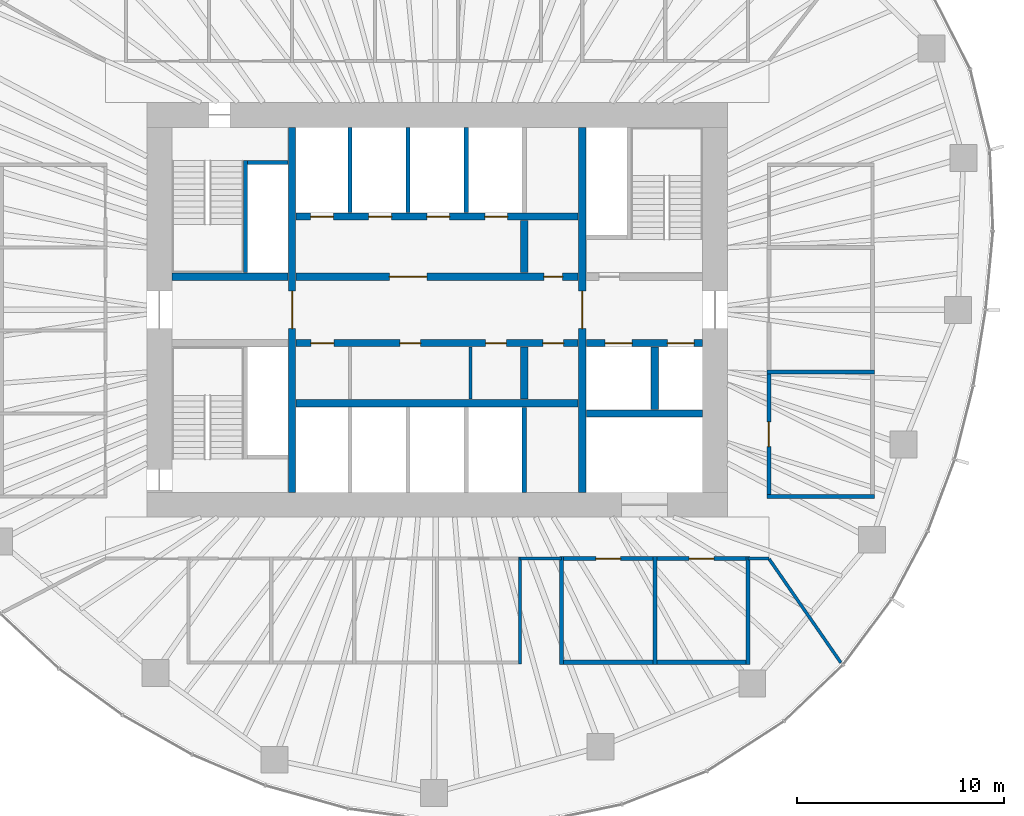
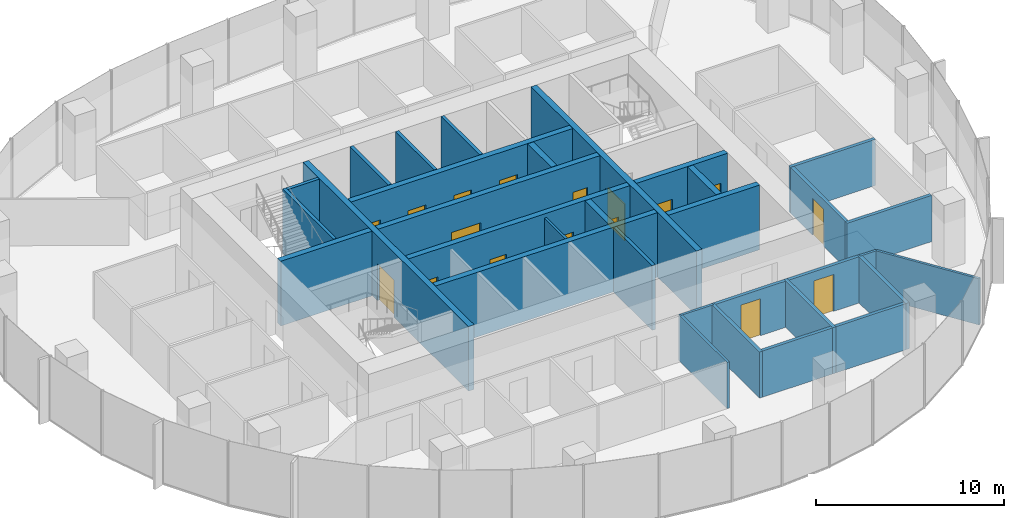
# One storey, part 9 of 12: 33 walls, 17 doors, 17 openings.
"""IFC4 building model written with IfcOpenShell, lengths in metres."""

from ifc_helpers import new_model, si_unit, direction, frame, frame_2d, origin, place, context, subcontext, project, spatial, rectangle, extrude, material, layer, layer_set, type_object, element, fill, save


model = new_model("IFC4")

# Units and contexts
model_context = context("Model", 3, precision=1e-05, world=origin(), true_north=direction((0.0, 1.0)))
body_context = subcontext(model_context, "Body", "Model", "MODEL_VIEW")
ifc_project = project(units=[si_unit("LENGTHUNIT", "METRE"), si_unit("AREAUNIT", "SQUARE_METRE"), si_unit("VOLUMEUNIT", "CUBIC_METRE"), si_unit("PLANEANGLEUNIT", "RADIAN"), si_unit("MASSUNIT", "GRAM", prefix="KILO")], contexts=[model_context])

# Site, building, storey
site_placement = place(None, origin())
site = spatial("IfcSite", under=ifc_project, at=site_placement, CompositionType="ELEMENT")
building_placement = place(site_placement, origin())
building = spatial("IfcBuilding", under=site, at=building_placement, Name="Ghaith Harvest Tower", CompositionType="ELEMENT")
storey_placement = place(building_placement, frame((0.0, 0.0, 207.39990234375)))
storey = spatial("IfcBuildingStorey", under=building, at=storey_placement, Name="L45", CompositionType="ELEMENT", Elevation=207.39990234375)

# Walls
ifc_material_1 = material(Name="Twin-stud gypsum board, acoustic", Category="gypsum")
ifc_layer_1 = layer(ifc_material_1, 0.199951171875)
ifc_layer_set_1 = layer_set([ifc_layer_1], Name="ACOUSTIC PARTITION 200")
wall_type_1 = type_object("IfcWallType", Name="ACOUSTIC PARTITION 200", PredefinedType="PARTITIONING", material=ifc_layer_set_1)
for number, where, z_axis, x_axis, name in (
    (1, (15.89990234375, -9.0, 0.0), (0.0, 0.0, 1.0), (1.0, 0.0, 0.0), "Partition L45 row E3 cross wall 1"),
    (2, (15.89990234375, -3.0, 0.0), (0.0, 0.0, 1.0), (1.0, 0.0, 0.0), "Partition L45 row E3 cross wall 2"),
):
    element("IfcWall", number, at=place(storey_placement, frame(where, z_axis=z_axis, x_axis=x_axis)), inside=storey, type_object=wall_type_1, Name=name, PredefinedType="PARTITIONING", context=body_context, shape_type="SweptSolid", body=[
        extrude(rectangle(XDim=5.2001953125, YDim=0.199951171875, at=frame_2d((2.60009765625, 0.0))), origin(), (0.0, 0.0, 1.0), 3.0),
    ])

# Wall, opening, door
wall_1_placement = place(storey_placement, frame((16.0, -8.89990234375, 0.0), z_axis=(0.0, 0.0, 1.0), x_axis=(0.0, 1.0, 0.0)))
wall_1 = element("IfcWall", 3, at=wall_1_placement, inside=storey, type_object=wall_type_1, Name="Partition L45-08", PredefinedType="PARTITIONING", context=body_context, shape_type="SweptSolid", body=[
    extrude(rectangle(XDim=5.7998046875, YDim=0.199951171875, at=frame_2d((2.89990234375, 0.0))), origin(), (0.0, 0.0, 1.0), 3.0),
])
opening_1_placement = place(wall_1_placement, frame((2.300048828125, 0.0, 0.0)))
opening_1 = element("IfcOpeningElement", 4, at=opening_1_placement, cuts=wall_1, Name="Opening 45-028", PredefinedType="OPENING", context=body_context, shape_type="SweptSolid", body=[
    extrude(rectangle(XDim=1.199951171875, YDim=2.39990234375, at=frame_2d((0.60009765625, 1.199951171875))), frame((0.0, 0.10986328125, 0.0), z_axis=(0.0, -1.0, 0.0), x_axis=(1.0, 0.0, 0.0)), (0.0, 0.0, 1.0), 0.219970703125),
])
ifc_material_2 = material(Name="Timber door", Category="wood")
door_type_1 = type_object("IfcDoorType", Name="D11 GLAZED 1200x2400", OperationType="SINGLE_SWING_LEFT", PredefinedType="DOOR", material=ifc_material_2)
door_1_placement = place(opening_1_placement, origin())
door_1 = element("IfcDoor", 5, at=door_1_placement, inside=storey, type_object=door_type_1, Name="Meeting room door", OperationType="SINGLE_SWING_LEFT", OverallHeight=2.39990234375, OverallWidth=1.199951171875, PredefinedType="DOOR", context=body_context, shape_type="SweptSolid", body=[
    extrude(rectangle(XDim=1.199951171875, YDim=2.39990234375, at=frame_2d((0.60009765625, 1.199951171875))), frame((0.0, 0.02490234375, 0.0), z_axis=(0.0, -1.0, 0.0), x_axis=(1.0, 0.0, 0.0)), (0.0, 0.0, 1.0), 0.050048828125),
])
fill(opening_1, door_1)

# Walls
for number, where, z_axis, x_axis, name in (
    (6, (6.0, -11.89990234375, 0.0), (0.0, 0.0, 1.0), (0.0, -1.0, 0.0), "Partition L45 row S5 cross wall 1"),
    (7, (10.5, -11.89990234375, 0.0), (0.0, 0.0, 1.0), (0.0, -1.0, 0.0), "Partition L45 row S5 cross wall 2"),
    (8, (15.0, -11.89990234375, 0.0), (0.0, 0.0, 1.0), (0.0, -1.0, 0.0), "Partition L45 row S5 cross wall 3"),
):
    element("IfcWall", number, at=place(storey_placement, frame(where, z_axis=z_axis, x_axis=x_axis)), inside=storey, type_object=wall_type_1, Name=name, PredefinedType="PARTITIONING", context=body_context, shape_type="SweptSolid", body=[
        extrude(rectangle(XDim=5.2001953125, YDim=0.199951171875, at=frame_2d((2.60009765625, 0.0))), origin(), (0.0, 0.0, 1.0), 3.0),
    ])

# Wall, opening, door
wall_2_placement = place(storey_placement, frame((6.10009765625, -12.0, 0.0), z_axis=(0.0, 0.0, 1.0), x_axis=(1.0, 0.0, 0.0)))
wall_2 = element("IfcWall", 9, at=wall_2_placement, inside=storey, type_object=wall_type_1, Name="Partition L45-15", PredefinedType="PARTITIONING", context=body_context, shape_type="SweptSolid", body=[
    extrude(rectangle(XDim=4.2998046875, YDim=0.199951171875, at=frame_2d((2.14990234375, 0.0))), origin(), (0.0, 0.0, 1.0), 3.0),
])
opening_2_placement = place(wall_2_placement, frame((1.550048828125, 0.0, 0.0)))
opening_2 = element("IfcOpeningElement", 10, at=opening_2_placement, cuts=wall_2, Name="Opening 45-035", PredefinedType="OPENING", context=body_context, shape_type="SweptSolid", body=[
    extrude(rectangle(XDim=1.199951171875, YDim=2.39990234375, at=frame_2d((0.60009765625, 1.199951171875))), frame((0.0, 0.10986328125, 0.0), z_axis=(0.0, -1.0, 0.0), x_axis=(1.0, 0.0, 0.0)), (0.0, 0.0, 1.0), 0.219970703125),
])
door_2_placement = place(opening_2_placement, origin())
door_2 = element("IfcDoor", 11, at=door_2_placement, inside=storey, type_object=door_type_1, Name="Meeting room door", OperationType="SINGLE_SWING_LEFT", OverallHeight=2.39990234375, OverallWidth=1.199951171875, PredefinedType="DOOR", context=body_context, shape_type="SweptSolid", body=[
    extrude(rectangle(XDim=1.199951171875, YDim=2.39990234375, at=frame_2d((0.60009765625, 1.199951171875))), frame((0.0, 0.02490234375, 0.0), z_axis=(0.0, -1.0, 0.0), x_axis=(1.0, 0.0, 0.0)), (0.0, 0.0, 1.0), 0.050048828125),
])
fill(opening_2, door_2)

# Wall
wall_3_placement = place(storey_placement, frame((6.10009765625, -17.0, 0.0), z_axis=(0.0, 0.0, 1.0), x_axis=(1.0, 0.0, 0.0)))
element("IfcWall", 12, at=wall_3_placement, inside=storey, type_object=wall_type_1, Name="Partition L45-15", PredefinedType="PARTITIONING", context=body_context, shape_type="SweptSolid", body=[
    extrude(rectangle(XDim=4.2998046875, YDim=0.199951171875, at=frame_2d((2.14990234375, 0.0))), origin(), (0.0, 0.0, 1.0), 3.0),
])

# Wall, opening, door
wall_4_placement = place(storey_placement, frame((10.60009765625, -12.0, 0.0), z_axis=(0.0, 0.0, 1.0), x_axis=(1.0, 0.0, 0.0)))
wall_4 = element("IfcWall", 13, at=wall_4_placement, inside=storey, type_object=wall_type_1, Name="Partition L45-16", PredefinedType="PARTITIONING", context=body_context, shape_type="SweptSolid", body=[
    extrude(rectangle(XDim=4.2998046875, YDim=0.199951171875, at=frame_2d((2.14990234375, 0.0))), origin(), (0.0, 0.0, 1.0), 3.0),
])
opening_3_placement = place(wall_4_placement, frame((1.550048828125, 0.0, 0.0)))
opening_3 = element("IfcOpeningElement", 14, at=opening_3_placement, cuts=wall_4, Name="Opening 45-036", PredefinedType="OPENING", context=body_context, shape_type="SweptSolid", body=[
    extrude(rectangle(XDim=1.199951171875, YDim=2.39990234375, at=frame_2d((0.60009765625, 1.199951171875))), frame((0.0, 0.10986328125, 0.0), z_axis=(0.0, -1.0, 0.0), x_axis=(1.0, 0.0, 0.0)), (0.0, 0.0, 1.0), 0.219970703125),
])
door_3_placement = place(opening_3_placement, origin())
door_3 = element("IfcDoor", 15, at=door_3_placement, inside=storey, type_object=door_type_1, Name="Meeting room door", OperationType="SINGLE_SWING_LEFT", OverallHeight=2.39990234375, OverallWidth=1.199951171875, PredefinedType="DOOR", context=body_context, shape_type="SweptSolid", body=[
    extrude(rectangle(XDim=1.199951171875, YDim=2.39990234375, at=frame_2d((0.60009765625, 1.199951171875))), frame((0.0, 0.02490234375, 0.0), z_axis=(0.0, -1.0, 0.0), x_axis=(1.0, 0.0, 0.0)), (0.0, 0.0, 1.0), 0.050048828125),
])
fill(opening_3, door_3)

# Walls
wall_5_placement = place(storey_placement, frame((10.60009765625, -17.0, 0.0), z_axis=(0.0, 0.0, 1.0), x_axis=(1.0, 0.0, 0.0)))
element("IfcWall", 16, at=wall_5_placement, inside=storey, type_object=wall_type_1, Name="Partition L45-16", PredefinedType="PARTITIONING", context=body_context, shape_type="SweptSolid", body=[
    extrude(rectangle(XDim=4.2998046875, YDim=0.199951171875, at=frame_2d((2.14990234375, 0.0))), origin(), (0.0, 0.0, 1.0), 3.0),
])
ifc_material_3 = material(Name="Concrete blockwork, fair-faced", Category="masonry")
ifc_layer_2 = layer(ifc_material_3, 0.139892578125)
ifc_layer_set_2 = layer_set([ifc_layer_2], Name="CORE PARTITION 140")
wall_type_2 = type_object("IfcWallType", Name="CORE PARTITION 140", PredefinedType="PARTITIONING", material=ifc_layer_set_2)
wall_6_placement = place(storey_placement, frame((1.60009765625, -1.800048828125, 0.0), z_axis=(0.0, 0.0, 1.0), x_axis=(0.0, -1.0, 0.0)))
element("IfcWall", 17, at=wall_6_placement, inside=storey, type_object=wall_type_2, Name="Core partition L45", PredefinedType="PARTITIONING", context=body_context, shape_type="SweptSolid", body=[
    extrude(rectangle(XDim=2.5, YDim=0.139892578125, at=frame_2d((1.25, 0.0))), origin(), (0.0, 0.0, 1.0), 3.9501953125),
])
ifc_material_4 = material(Name="Concrete blockwork, 2-hour", Category="masonry")
ifc_layer_3 = layer(ifc_material_4, 0.199951171875)
ifc_layer_set_3 = layer_set([ifc_layer_3], Name="LIFT SHAFT WALL 200")
wall_type_3 = type_object("IfcWallType", Name="LIFT SHAFT WALL 200", PredefinedType="PARTITIONING", material=ifc_layer_set_3)
for number, where, z_axis, x_axis, name in (
    (18, (-4.199951171875, 4.699951171875, 0.0), (0.0, 0.0, 1.0), (0.0, 1.0, 0.0), "Lift shaft wall L45"),
    (19, (-1.39990234375, 4.699951171875, 0.0), (0.0, 0.0, 1.0), (0.0, 1.0, 0.0), "Lift shaft wall L45"),
    (20, (1.39990234375, 4.699951171875, 0.0), (0.0, 0.0, 1.0), (0.0, 1.0, 0.0), "Lift shaft wall L45"),
    (21, (4.199951171875, -4.699951171875, 0.0), (0.0, 0.0, 1.0), (0.0, -1.0, 0.0), "Lift shaft wall L45"),
):
    element("IfcWall", number, at=place(storey_placement, frame(where, z_axis=z_axis, x_axis=x_axis)), inside=storey, type_object=wall_type_3, Name=name, PredefinedType="PARTITIONING", context=body_context, shape_type="SweptSolid", body=[
        extrude(rectangle(XDim=4.10009765625, YDim=0.199951171875, at=frame_2d((2.050048828125, 0.0))), origin(), (0.0, 0.0, 1.0), 4.2001953125),
    ])
ifc_material_5 = material(Name="Gypsum board on steel studs", Category="steel")
ifc_layer_4 = layer(ifc_material_5, 0.14990234375)
ifc_layer_set_4 = layer_set([ifc_layer_4], Name="PARTITION 150")
wall_type_4 = type_object("IfcWallType", Name="PARTITION 150", PredefinedType="PARTITIONING", material=ifc_layer_set_4)
wall_7_placement = place(storey_placement, frame((4.0, -11.925048828125, 0.0), z_axis=(0.0, 0.0, 1.0), x_axis=(0.0, -1.0, 0.0)))
element("IfcWall", 22, at=wall_7_placement, inside=storey, type_object=wall_type_4, Name="Partition L45 row S4 cross wall 5", PredefinedType="PARTITIONING", context=body_context, shape_type="SweptSolid", body=[
    extrude(rectangle(XDim=5.14990234375, YDim=0.14990234375, at=frame_2d((2.574951171875, 0.0))), origin(), (0.0, 0.0, 1.0), 3.0),
])
wall_8_placement = place(storey_placement, frame((16.011474609375, -12.016357421875, 0.0), z_axis=(0.0, 0.0, 1.0), x_axis=(0.568863489071, -0.822431961199, 0.0)))
element("IfcWall", 23, at=wall_8_placement, inside=storey, type_object=wall_type_4, Name="Partition L45 zone division", PredefinedType="PARTITIONING", context=body_context, shape_type="SweptSolid", body=[
    extrude(rectangle(XDim=6.0830078125, YDim=0.14990234375, at=frame_2d((3.04150390625, 0.0))), origin(), (0.0, 0.0, 1.0), 3.0),
])
wall_9_placement = place(storey_placement, frame((4.0, -12.0, 0.0), z_axis=(0.0, 0.0, 1.0), x_axis=(1.0, 0.0, 0.0)))
element("IfcWall", 24, at=wall_9_placement, inside=storey, type_object=wall_type_4, Name="Partition L45 zone enclosure", PredefinedType="PARTITIONING", context=body_context, shape_type="SweptSolid", body=[
    extrude(rectangle(XDim=2.0, YDim=0.14990234375, at=frame_2d((1.0, 0.0))), origin(), (0.0, 0.0, 1.0), 3.0),
])
wall_10_placement = place(storey_placement, frame((15.0, -12.0, 0.0), z_axis=(0.0, 0.0, 1.0), x_axis=(1.0, 0.0, 0.0)))
element("IfcWall", 25, at=wall_10_placement, inside=storey, type_object=wall_type_4, Name="Partition L45 zone enclosure", PredefinedType="PARTITIONING", context=body_context, shape_type="SweptSolid", body=[
    extrude(rectangle(XDim=1.0, YDim=0.14990234375, at=frame_2d((0.5, 0.0))), origin(), (0.0, 0.0, 1.0), 3.0),
])

# Wall, opening, door
ifc_material_6 = material(Name="Concrete C60/75", Category="concrete")
ifc_layer_5 = layer(ifc_material_6, 0.35009765625)
ifc_layer_set_5 = layer_set([ifc_layer_5], Name="SHAFT WALL 350")
wall_type_5 = type_object("IfcWallType", Name="SHAFT WALL 350", PredefinedType="SHEAR", material=ifc_layer_set_5)
wall_11_placement = place(storey_placement, frame((-7.0, -8.800048828125, 0.0), z_axis=(0.0, 0.0, 1.0), x_axis=(0.0, 1.0, 0.0)))
wall_11 = element("IfcWall", 26, at=wall_11_placement, inside=storey, type_object=wall_type_5, Name="Shaft wall W7W L45", PredefinedType="SHEAR", context=body_context, shape_type="SweptSolid", body=[
    extrude(rectangle(XDim=17.60009765625, YDim=0.35009765625, at=frame_2d((8.800048828125, 0.0))), origin(), (0.0, 0.0, 1.0), 4.2001953125),
])
opening_4_placement = place(wall_11_placement, frame((7.89990234375, 0.0, 0.0)))
opening_4 = element("IfcOpeningElement", 27, at=opening_4_placement, cuts=wall_11, Name="Opening 45-003", PredefinedType="OPENING", context=body_context, shape_type="SweptSolid", body=[
    extrude(rectangle(XDim=1.800048828125, YDim=2.39990234375, at=frame_2d((0.89990234375, 1.199951171875))), frame((0.0, 0.18505859375, 0.0), z_axis=(0.0, -1.0, 0.0), x_axis=(1.0, 0.0, 0.0)), (0.0, 0.0, 1.0), 0.3701171875),
])
ifc_material_7 = material(Name="Steel fire door", Category="steel")
door_type_2 = type_object("IfcDoorType", Name="D4 FD90 PAIR 1800x2400", OperationType="DOUBLE_DOOR_SINGLE_SWING", PredefinedType="DOOR", material=ifc_material_7)
door_4_placement = place(opening_4_placement, origin())
door_4 = element("IfcDoor", 28, at=door_4_placement, inside=storey, type_object=door_type_2, Name="Lift lobby doors, west", OperationType="DOUBLE_DOOR_SINGLE_SWING", OverallHeight=2.39990234375, OverallWidth=1.800048828125, PredefinedType="DOOR", context=body_context, shape_type="SweptSolid", body=[
    extrude(rectangle(XDim=1.800048828125, YDim=2.39990234375, at=frame_2d((0.89990234375, 1.199951171875))), frame((0.0, 0.02490234375, 0.0), z_axis=(0.0, -1.0, 0.0), x_axis=(1.0, 0.0, 0.0)), (0.0, 0.0, 1.0), 0.050048828125),
])
fill(opening_4, door_4)

wall_12_placement = place(storey_placement, frame((7.0, -8.800048828125, 0.0), z_axis=(0.0, 0.0, 1.0), x_axis=(0.0, 1.0, 0.0)))
wall_12 = element("IfcWall", 29, at=wall_12_placement, inside=storey, type_object=wall_type_5, Name="Shaft wall W7E L45", PredefinedType="SHEAR", context=body_context, shape_type="SweptSolid", body=[
    extrude(rectangle(XDim=17.60009765625, YDim=0.35009765625, at=frame_2d((8.800048828125, 0.0))), origin(), (0.0, 0.0, 1.0), 4.2001953125),
])
opening_5_placement = place(wall_12_placement, frame((7.89990234375, 0.0, 0.0)))
opening_5 = element("IfcOpeningElement", 30, at=opening_5_placement, cuts=wall_12, Name="Opening 45-004", PredefinedType="OPENING", context=body_context, shape_type="SweptSolid", body=[
    extrude(rectangle(XDim=1.800048828125, YDim=2.39990234375, at=frame_2d((0.89990234375, 1.199951171875))), frame((0.0, 0.18505859375, 0.0), z_axis=(0.0, -1.0, 0.0), x_axis=(1.0, 0.0, 0.0)), (0.0, 0.0, 1.0), 0.3701171875),
])
door_5_placement = place(opening_5_placement, origin())
door_5 = element("IfcDoor", 31, at=door_5_placement, inside=storey, type_object=door_type_2, Name="Lift lobby doors, east", OperationType="DOUBLE_DOOR_SINGLE_SWING", OverallHeight=2.39990234375, OverallWidth=1.800048828125, PredefinedType="DOOR", context=body_context, shape_type="SweptSolid", body=[
    extrude(rectangle(XDim=1.800048828125, YDim=2.39990234375, at=frame_2d((0.89990234375, 1.199951171875))), frame((0.0, 0.02490234375, 0.0), z_axis=(0.0, -1.0, 0.0), x_axis=(1.0, 0.0, 0.0)), (0.0, 0.0, 1.0), 0.050048828125),
])
fill(opening_5, door_5)

# Wall, openings, doors
wall_13_placement = place(storey_placement, frame((-6.800048828125, 1.60009765625, 0.0), z_axis=(0.0, 0.0, 1.0), x_axis=(1.0, 0.0, 0.0)))
wall_13 = element("IfcWall", 32, at=wall_13_placement, inside=storey, type_object=wall_type_5, Name="Shaft wall LN L45", PredefinedType="SHEAR", context=body_context, shape_type="SweptSolid", body=[
    extrude(rectangle(XDim=13.60009765625, YDim=0.35009765625, at=frame_2d((6.800048828125, 0.0))), origin(), (0.0, 0.0, 1.0), 4.2001953125),
])
opening_6_placement = place(wall_13_placement, frame((11.949951171875, 0.0, 0.0)))
opening_6 = element("IfcOpeningElement", 33, at=opening_6_placement, cuts=wall_13, Name="Opening 45-011", PredefinedType="OPENING", context=body_context, shape_type="SweptSolid", body=[
    extrude(rectangle(XDim=0.89990234375, YDim=2.39990234375, at=frame_2d((0.449951171875, 1.199951171875))), frame((0.0, 0.18505859375, 0.0), z_axis=(0.0, -1.0, 0.0), x_axis=(1.0, 0.0, 0.0)), (0.0, 0.0, 1.0), 0.3701171875),
])
opening_7_placement = place(wall_13_placement, frame((4.5, 0.0, 0.0)))
opening_7 = element("IfcOpeningElement", 34, at=opening_7_placement, cuts=wall_13, Name="Opening 45-013", PredefinedType="OPENING", context=body_context, shape_type="SweptSolid", body=[
    extrude(rectangle(XDim=1.800048828125, YDim=2.39990234375, at=frame_2d((0.89990234375, 1.199951171875))), frame((0.0, 0.18505859375, 0.0), z_axis=(0.0, -1.0, 0.0), x_axis=(1.0, 0.0, 0.0)), (0.0, 0.0, 1.0), 0.3701171875),
])
door_6_placement = place(opening_7_placement, origin())
door_6 = element("IfcDoor", 35, at=door_6_placement, inside=storey, type_object=door_type_2, Name="Lift lobby doors, high-rise bank", OperationType="DOUBLE_DOOR_SINGLE_SWING", OverallHeight=2.39990234375, OverallWidth=1.800048828125, PredefinedType="DOOR", context=body_context, shape_type="SweptSolid", body=[
    extrude(rectangle(XDim=1.800048828125, YDim=2.39990234375, at=frame_2d((0.89990234375, 1.199951171875))), frame((0.0, 0.02490234375, 0.0), z_axis=(0.0, -1.0, 0.0), x_axis=(1.0, 0.0, 0.0)), (0.0, 0.0, 1.0), 0.050048828125),
])
fill(opening_7, door_6)
ifc_material_8 = material(Name="Steel fire door", Category="steel")
door_type_3 = type_object("IfcDoorType", Name="D5 FD90 900x2400", OperationType="SINGLE_SWING_LEFT", PredefinedType="DOOR", material=ifc_material_8)
door_7_placement = place(opening_6_placement, origin())
door_7 = element("IfcDoor", 36, at=door_7_placement, inside=storey, type_object=door_type_3, Name="Cleaner's store door", OperationType="SINGLE_SWING_RIGHT", OverallHeight=2.39990234375, OverallWidth=0.89990234375, PredefinedType="DOOR", context=body_context, shape_type="SweptSolid", body=[
    extrude(rectangle(XDim=0.89990234375, YDim=2.39990234375, at=frame_2d((0.449951171875, 1.199951171875))), frame((0.0, 0.02490234375, 0.0), z_axis=(0.0, -1.0, 0.0), x_axis=(1.0, 0.0, 0.0)), (0.0, 0.0, 1.0), 0.050048828125),
])
fill(opening_6, door_7)

wall_14_placement = place(storey_placement, frame((-6.800048828125, -1.60009765625, 0.0), z_axis=(0.0, 0.0, 1.0), x_axis=(1.0, 0.0, 0.0)))
wall_14 = element("IfcWall", 37, at=wall_14_placement, inside=storey, type_object=wall_type_5, Name="Shaft wall LS L45", PredefinedType="SHEAR", context=body_context, shape_type="SweptSolid", body=[
    extrude(rectangle(XDim=13.60009765625, YDim=0.35009765625, at=frame_2d((6.800048828125, 0.0))), origin(), (0.0, 0.0, 1.0), 4.2001953125),
])
opening_8_placement = place(wall_14_placement, frame((0.715087890625, 0.0, 0.0)))
opening_8 = element("IfcOpeningElement", 38, at=opening_8_placement, cuts=wall_14, Name="Opening 45-008", PredefinedType="OPENING", context=body_context, shape_type="SweptSolid", body=[
    extrude(rectangle(XDim=1.10009765625, YDim=2.39990234375, at=frame_2d((0.550048828125, 1.199951171875))), frame((0.0, 0.18505859375, 0.0), z_axis=(0.0, -1.0, 0.0), x_axis=(1.0, 0.0, 0.0)), (0.0, 0.0, 1.0), 0.3701171875),
])
opening_9_placement = place(wall_14_placement, frame((5.0, 0.0, 0.0)))
opening_9 = element("IfcOpeningElement", 39, at=opening_9_placement, cuts=wall_14, Name="Opening 45-009", PredefinedType="OPENING", context=body_context, shape_type="SweptSolid", body=[
    extrude(rectangle(XDim=1.0, YDim=2.39990234375, at=frame_2d((0.5, 1.199951171875))), frame((0.0, 0.18505859375, 0.0), z_axis=(0.0, -1.0, 0.0), x_axis=(1.0, 0.0, 0.0)), (0.0, 0.0, 1.0), 0.3701171875),
])
opening_10_placement = place(wall_14_placement, frame((9.135009765625, 0.0, 0.0)))
opening_10 = element("IfcOpeningElement", 40, at=opening_10_placement, cuts=wall_14, Name="Opening 45-010", PredefinedType="OPENING", context=body_context, shape_type="SweptSolid", body=[
    extrude(rectangle(XDim=1.0, YDim=2.39990234375, at=frame_2d((0.5, 1.199951171875))), frame((0.0, 0.18505859375, 0.0), z_axis=(0.0, -1.0, 0.0), x_axis=(1.0, 0.0, 0.0)), (0.0, 0.0, 1.0), 0.3701171875),
])
opening_11_placement = place(wall_14_placement, frame((11.89990234375, 0.0, 0.0)))
opening_11 = element("IfcOpeningElement", 41, at=opening_11_placement, cuts=wall_14, Name="Opening 45-012", PredefinedType="OPENING", context=body_context, shape_type="SweptSolid", body=[
    extrude(rectangle(XDim=1.0, YDim=2.39990234375, at=frame_2d((0.5, 1.199951171875))), frame((0.0, 0.18505859375, 0.0), z_axis=(0.0, -1.0, 0.0), x_axis=(1.0, 0.0, 0.0)), (0.0, 0.0, 1.0), 0.3701171875),
])
ifc_material_9 = material(Name="Steel fire door", Category="steel")
door_type_4 = type_object("IfcDoorType", Name="D3 FD90 1000x2400", OperationType="SINGLE_SWING_LEFT", PredefinedType="DOOR", material=ifc_material_9)
door_8_placement = place(opening_9_placement, origin())
door_8 = element("IfcDoor", 42, at=door_8_placement, inside=storey, type_object=door_type_4, Name="Male WC door", OperationType="SINGLE_SWING_LEFT", OverallHeight=2.39990234375, OverallWidth=1.0, PredefinedType="DOOR", context=body_context, shape_type="SweptSolid", body=[
    extrude(rectangle(XDim=1.0, YDim=2.39990234375, at=frame_2d((0.5, 1.199951171875))), frame((0.0, 0.02490234375, 0.0), z_axis=(0.0, -1.0, 0.0), x_axis=(1.0, 0.0, 0.0)), (0.0, 0.0, 1.0), 0.050048828125),
])
fill(opening_9, door_8)
door_9_placement = place(opening_10_placement, origin())
door_9 = element("IfcDoor", 43, at=door_9_placement, inside=storey, type_object=door_type_4, Name="Female WC door", OperationType="SINGLE_SWING_RIGHT", OverallHeight=2.39990234375, OverallWidth=1.0, PredefinedType="DOOR", context=body_context, shape_type="SweptSolid", body=[
    extrude(rectangle(XDim=1.0, YDim=2.39990234375, at=frame_2d((0.5, 1.199951171875))), frame((0.0, 0.02490234375, 0.0), z_axis=(0.0, -1.0, 0.0), x_axis=(1.0, 0.0, 0.0)), (0.0, 0.0, 1.0), 0.050048828125),
])
fill(opening_10, door_9)
door_10_placement = place(opening_11_placement, origin())
door_10 = element("IfcDoor", 44, at=door_10_placement, inside=storey, type_object=door_type_4, Name="Electrical room door", OperationType="SINGLE_SWING_RIGHT", OverallHeight=2.39990234375, OverallWidth=1.0, PredefinedType="DOOR", context=body_context, shape_type="SweptSolid", body=[
    extrude(rectangle(XDim=1.0, YDim=2.39990234375, at=frame_2d((0.5, 1.199951171875))), frame((0.0, 0.02490234375, 0.0), z_axis=(0.0, -1.0, 0.0), x_axis=(1.0, 0.0, 0.0)), (0.0, 0.0, 1.0), 0.050048828125),
])
fill(opening_11, door_10)
ifc_material_10 = material(Name="Steel fire door", Category="steel")
door_type_5 = type_object("IfcDoorType", Name="D9 FD90 1100x2400", OperationType="SINGLE_SWING_LEFT", PredefinedType="DOOR", material=ifc_material_10)
door_11_placement = place(opening_8_placement, origin())
door_11 = element("IfcDoor", 45, at=door_11_placement, inside=storey, type_object=door_type_5, Name="Accessible WC door", OperationType="SINGLE_SWING_LEFT", OverallHeight=2.39990234375, OverallWidth=1.10009765625, PredefinedType="DOOR", context=body_context, shape_type="SweptSolid", body=[
    extrude(rectangle(XDim=1.10009765625, YDim=2.39990234375, at=frame_2d((0.550048828125, 1.199951171875))), frame((0.0, 0.02490234375, 0.0), z_axis=(0.0, -1.0, 0.0), x_axis=(1.0, 0.0, 0.0)), (0.0, 0.0, 1.0), 0.050048828125),
])
fill(opening_8, door_11)

wall_15_placement = place(storey_placement, frame((-6.800048828125, 4.5, 0.0), z_axis=(0.0, 0.0, 1.0), x_axis=(1.0, 0.0, 0.0)))
wall_15 = element("IfcWall", 46, at=wall_15_placement, inside=storey, type_object=wall_type_5, Name="Shaft wall BN L45", PredefinedType="SHEAR", context=body_context, shape_type="SweptSolid", body=[
    extrude(rectangle(XDim=13.60009765625, YDim=0.35009765625, at=frame_2d((6.800048828125, 0.0))), origin(), (0.0, 0.0, 1.0), 4.2001953125),
])
opening_12_placement = place(wall_15_placement, frame((0.699951171875, 0.0, 0.0)))
opening_12 = element("IfcOpeningElement", 47, at=opening_12_placement, cuts=wall_15, Name="Opening 45-014", PredefinedType="OPENING", context=body_context, shape_type="SweptSolid", body=[
    extrude(rectangle(XDim=1.10009765625, YDim=2.39990234375, at=frame_2d((0.550048828125, 1.199951171875))), frame((0.0, 0.18505859375, 0.0), z_axis=(0.0, -1.0, 0.0), x_axis=(1.0, 0.0, 0.0)), (0.0, 0.0, 1.0), 0.3701171875),
])
opening_13_placement = place(wall_15_placement, frame((3.5, 0.0, 0.0)))
opening_13 = element("IfcOpeningElement", 48, at=opening_13_placement, cuts=wall_15, Name="Opening 45-015", PredefinedType="OPENING", context=body_context, shape_type="SweptSolid", body=[
    extrude(rectangle(XDim=1.10009765625, YDim=2.39990234375, at=frame_2d((0.550048828125, 1.199951171875))), frame((0.0, 0.18505859375, 0.0), z_axis=(0.0, -1.0, 0.0), x_axis=(1.0, 0.0, 0.0)), (0.0, 0.0, 1.0), 0.3701171875),
])
opening_14_placement = place(wall_15_placement, frame((6.300048828125, 0.0, 0.0)))
opening_14 = element("IfcOpeningElement", 49, at=opening_14_placement, cuts=wall_15, Name="Opening 45-016", PredefinedType="OPENING", context=body_context, shape_type="SweptSolid", body=[
    extrude(rectangle(XDim=1.10009765625, YDim=2.39990234375, at=frame_2d((0.550048828125, 1.199951171875))), frame((0.0, 0.18505859375, 0.0), z_axis=(0.0, -1.0, 0.0), x_axis=(1.0, 0.0, 0.0)), (0.0, 0.0, 1.0), 0.3701171875),
])
opening_15_placement = place(wall_15_placement, frame((9.10009765625, 0.0, 0.0)))
opening_15 = element("IfcOpeningElement", 50, at=opening_15_placement, cuts=wall_15, Name="Opening 45-017", PredefinedType="OPENING", context=body_context, shape_type="SweptSolid", body=[
    extrude(rectangle(XDim=1.10009765625, YDim=2.39990234375, at=frame_2d((0.550048828125, 1.199951171875))), frame((0.0, 0.18505859375, 0.0), z_axis=(0.0, -1.0, 0.0), x_axis=(1.0, 0.0, 0.0)), (0.0, 0.0, 1.0), 0.3701171875),
])
ifc_material_11 = material(Name="Steel fire door", Category="steel")
door_type_6 = type_object("IfcDoorType", Name="LD1 LANDING 1100x2400", OperationType="DOUBLE_DOOR_SLIDING", PredefinedType="DOOR", material=ifc_material_11)
door_12_placement = place(opening_12_placement, origin())
door_12 = element("IfcDoor", 51, at=door_12_placement, inside=storey, type_object=door_type_6, Name="Landing door, lift HR1", OperationType="DOUBLE_DOOR_SLIDING", OverallHeight=2.39990234375, OverallWidth=1.10009765625, PredefinedType="DOOR", context=body_context, shape_type="SweptSolid", body=[
    extrude(rectangle(XDim=1.10009765625, YDim=2.39990234375, at=frame_2d((0.550048828125, 1.199951171875))), frame((0.0, 0.02490234375, 0.0), z_axis=(0.0, -1.0, 0.0), x_axis=(1.0, 0.0, 0.0)), (0.0, 0.0, 1.0), 0.050048828125),
])
fill(opening_12, door_12)
door_13_placement = place(opening_13_placement, origin())
door_13 = element("IfcDoor", 52, at=door_13_placement, inside=storey, type_object=door_type_6, Name="Landing door, lift HR2", OperationType="DOUBLE_DOOR_SLIDING", OverallHeight=2.39990234375, OverallWidth=1.10009765625, PredefinedType="DOOR", context=body_context, shape_type="SweptSolid", body=[
    extrude(rectangle(XDim=1.10009765625, YDim=2.39990234375, at=frame_2d((0.550048828125, 1.199951171875))), frame((0.0, 0.02490234375, 0.0), z_axis=(0.0, -1.0, 0.0), x_axis=(1.0, 0.0, 0.0)), (0.0, 0.0, 1.0), 0.050048828125),
])
fill(opening_13, door_13)
door_14_placement = place(opening_14_placement, origin())
door_14 = element("IfcDoor", 53, at=door_14_placement, inside=storey, type_object=door_type_6, Name="Landing door, lift HR3", OperationType="DOUBLE_DOOR_SLIDING", OverallHeight=2.39990234375, OverallWidth=1.10009765625, PredefinedType="DOOR", context=body_context, shape_type="SweptSolid", body=[
    extrude(rectangle(XDim=1.10009765625, YDim=2.39990234375, at=frame_2d((0.550048828125, 1.199951171875))), frame((0.0, 0.02490234375, 0.0), z_axis=(0.0, -1.0, 0.0), x_axis=(1.0, 0.0, 0.0)), (0.0, 0.0, 1.0), 0.050048828125),
])
fill(opening_14, door_14)
door_15_placement = place(opening_15_placement, origin())
door_15 = element("IfcDoor", 54, at=door_15_placement, inside=storey, type_object=door_type_6, Name="Landing door, lift HR4", OperationType="DOUBLE_DOOR_SLIDING", OverallHeight=2.39990234375, OverallWidth=1.10009765625, PredefinedType="DOOR", context=body_context, shape_type="SweptSolid", body=[
    extrude(rectangle(XDim=1.10009765625, YDim=2.39990234375, at=frame_2d((0.550048828125, 1.199951171875))), frame((0.0, 0.02490234375, 0.0), z_axis=(0.0, -1.0, 0.0), x_axis=(1.0, 0.0, 0.0)), (0.0, 0.0, 1.0), 0.050048828125),
])
fill(opening_15, door_15)

# Walls
wall_16_placement = place(storey_placement, frame((-6.800048828125, -4.5, 0.0), z_axis=(0.0, 0.0, 1.0), x_axis=(1.0, 0.0, 0.0)))
element("IfcWall", 55, at=wall_16_placement, inside=storey, type_object=wall_type_5, Name="Shaft wall BS L45", PredefinedType="SHEAR", context=body_context, shape_type="SweptSolid", body=[
    extrude(rectangle(XDim=13.60009765625, YDim=0.35009765625, at=frame_2d((6.800048828125, 0.0))), origin(), (0.0, 0.0, 1.0), 4.2001953125),
])
wall_17_placement = place(storey_placement, frame((-12.800048828125, 1.60009765625, 0.0), z_axis=(0.0, 0.0, 1.0), x_axis=(1.0, 0.0, 0.0)))
element("IfcWall", 56, at=wall_17_placement, inside=storey, type_object=wall_type_5, Name="Shaft wall WN L45", PredefinedType="SHEAR", context=body_context, shape_type="SweptSolid", body=[
    extrude(rectangle(XDim=5.60009765625, YDim=0.35009765625, at=frame_2d((2.800048828125, 0.0))), origin(), (0.0, 0.0, 1.0), 4.2001953125),
])

# Wall, openings, doors
wall_18_placement = place(storey_placement, frame((7.199951171875, -1.60009765625, 0.0), z_axis=(0.0, 0.0, 1.0), x_axis=(1.0, 0.0, 0.0)))
wall_18 = element("IfcWall", 57, at=wall_18_placement, inside=storey, type_object=wall_type_5, Name="Shaft wall ES L45", PredefinedType="SHEAR", context=body_context, shape_type="SweptSolid", body=[
    extrude(rectangle(XDim=5.60009765625, YDim=0.35009765625, at=frame_2d((2.800048828125, 0.0))), origin(), (0.0, 0.0, 1.0), 4.2001953125),
])
opening_16_placement = place(wall_18_placement, frame((0.89990234375, 0.0, 0.0)))
opening_16 = element("IfcOpeningElement", 58, at=opening_16_placement, cuts=wall_18, Name="Opening 45-018", PredefinedType="OPENING", context=body_context, shape_type="SweptSolid", body=[
    extrude(rectangle(XDim=1.300048828125, YDim=2.39990234375, at=frame_2d((0.64990234375, 1.199951171875))), frame((0.0, 0.18505859375, 0.0), z_axis=(0.0, -1.0, 0.0), x_axis=(1.0, 0.0, 0.0)), (0.0, 0.0, 1.0), 0.3701171875),
])
opening_17_placement = place(wall_18_placement, frame((3.89990234375, 0.0, 0.0)))
opening_17 = element("IfcOpeningElement", 59, at=opening_17_placement, cuts=wall_18, Name="Opening 45-019", PredefinedType="OPENING", context=body_context, shape_type="SweptSolid", body=[
    extrude(rectangle(XDim=1.300048828125, YDim=2.39990234375, at=frame_2d((0.64990234375, 1.199951171875))), frame((0.0, 0.18505859375, 0.0), z_axis=(0.0, -1.0, 0.0), x_axis=(1.0, 0.0, 0.0)), (0.0, 0.0, 1.0), 0.3701171875),
])
ifc_material_12 = material(Name="Steel fire door", Category="steel")
door_type_7 = type_object("IfcDoorType", Name="LD2 LANDING 1300x2400", OperationType="DOUBLE_DOOR_SLIDING", PredefinedType="DOOR", material=ifc_material_12)
door_16_placement = place(opening_16_placement, origin())
door_16 = element("IfcDoor", 60, at=door_16_placement, inside=storey, type_object=door_type_7, Name="Landing door, fire service lift FL1", OperationType="DOUBLE_DOOR_SLIDING", OverallHeight=2.39990234375, OverallWidth=1.300048828125, PredefinedType="DOOR", context=body_context, shape_type="SweptSolid", body=[
    extrude(rectangle(XDim=1.300048828125, YDim=2.39990234375, at=frame_2d((0.64990234375, 1.199951171875))), frame((0.0, 0.02490234375, 0.0), z_axis=(0.0, -1.0, 0.0), x_axis=(1.0, 0.0, 0.0)), (0.0, 0.0, 1.0), 0.050048828125),
])
fill(opening_16, door_16)
door_17_placement = place(opening_17_placement, origin())
door_17 = element("IfcDoor", 61, at=door_17_placement, inside=storey, type_object=door_type_7, Name="Landing door, fire service lift FL2", OperationType="DOUBLE_DOOR_SLIDING", OverallHeight=2.39990234375, OverallWidth=1.300048828125, PredefinedType="DOOR", context=body_context, shape_type="SweptSolid", body=[
    extrude(rectangle(XDim=1.300048828125, YDim=2.39990234375, at=frame_2d((0.64990234375, 1.199951171875))), frame((0.0, 0.02490234375, 0.0), z_axis=(0.0, -1.0, 0.0), x_axis=(1.0, 0.0, 0.0)), (0.0, 0.0, 1.0), 0.050048828125),
])
fill(opening_17, door_17)

# Walls
wall_19_placement = place(storey_placement, frame((10.5, -4.800048828125, 0.0), z_axis=(0.0, 0.0, 1.0), x_axis=(0.0, 1.0, 0.0)))
element("IfcWall", 62, at=wall_19_placement, inside=storey, type_object=wall_type_5, Name="Shaft wall FLD L45", PredefinedType="SHEAR", context=body_context, shape_type="SweptSolid", body=[
    extrude(rectangle(XDim=3.0, YDim=0.35009765625, at=frame_2d((1.5, 0.0))), origin(), (0.0, 0.0, 1.0), 4.2001953125),
])
wall_20_placement = place(storey_placement, frame((7.199951171875, -5.0, 0.0), z_axis=(0.0, 0.0, 1.0), x_axis=(1.0, 0.0, 0.0)))
element("IfcWall", 63, at=wall_20_placement, inside=storey, type_object=wall_type_5, Name="Shaft wall FLB L45", PredefinedType="SHEAR", context=body_context, shape_type="SweptSolid", body=[
    extrude(rectangle(XDim=5.60009765625, YDim=0.35009765625, at=frame_2d((2.800048828125, 0.0))), origin(), (0.0, 0.0, 1.0), 4.2001953125),
])
for number, where, z_axis, x_axis, name in (
    (64, (4.199951171875, 1.800048828125, 0.0), (0.0, 0.0, 1.0), (0.0, 1.0, 0.0), "Shaft wall DN4 L45"),
    (65, (4.199951171875, -4.300048828125, 0.0), (0.0, 0.0, 1.0), (0.0, 1.0, 0.0), "Shaft wall DS4 L45"),
):
    element("IfcWall", number, at=place(storey_placement, frame(where, z_axis=z_axis, x_axis=x_axis)), inside=storey, type_object=wall_type_5, Name=name, PredefinedType="SHEAR", context=body_context, shape_type="SweptSolid", body=[
        extrude(rectangle(XDim=2.5, YDim=0.35009765625, at=frame_2d((1.25, 0.0))), origin(), (0.0, 0.0, 1.0), 4.2001953125),
    ])
ifc_material_13 = material(Name="Concrete C40/50", Category="concrete")
ifc_layer_6 = layer(ifc_material_13, 0.199951171875)
ifc_layer_set_6 = layer_set([ifc_layer_6], Name="STAIR SPINE WALL RC200")
wall_type_6 = type_object("IfcWallType", Name="STAIR SPINE WALL RC200", PredefinedType="SOLIDWALL", material=ifc_layer_set_6)
wall_21_placement = place(storey_placement, frame((-9.25, 7.199951171875, 0.0), z_axis=(0.0, 0.0, 1.0), x_axis=(0.0, -1.0, 0.0)))
element("IfcWall", 66, at=wall_21_placement, inside=storey, type_object=wall_type_6, Name="Stair ST1 spine wall L45", PredefinedType="SOLIDWALL", context=body_context, shape_type="SweptSolid", body=[
    extrude(rectangle(XDim=5.39990234375, YDim=0.199951171875, at=frame_2d((2.699951171875, 0.0))), origin(), (0.0, 0.0, 1.0), 4.2001953125),
])
wall_22_placement = place(storey_placement, frame((-9.14990234375, 7.10009765625, 0.0), z_axis=(0.0, 0.0, 1.0), x_axis=(1.0, 0.0, 0.0)))
element("IfcWall", 67, at=wall_22_placement, inside=storey, type_object=wall_type_6, Name="Stair ST1 spine wall return L45", PredefinedType="SOLIDWALL", context=body_context, shape_type="SweptSolid", body=[
    extrude(rectangle(XDim=1.949951171875, YDim=0.199951171875, at=frame_2d((0.97509765625, 0.0))), origin(), (0.0, 0.0, 1.0), 4.2001953125),
])

save(model, "model.ifc")
